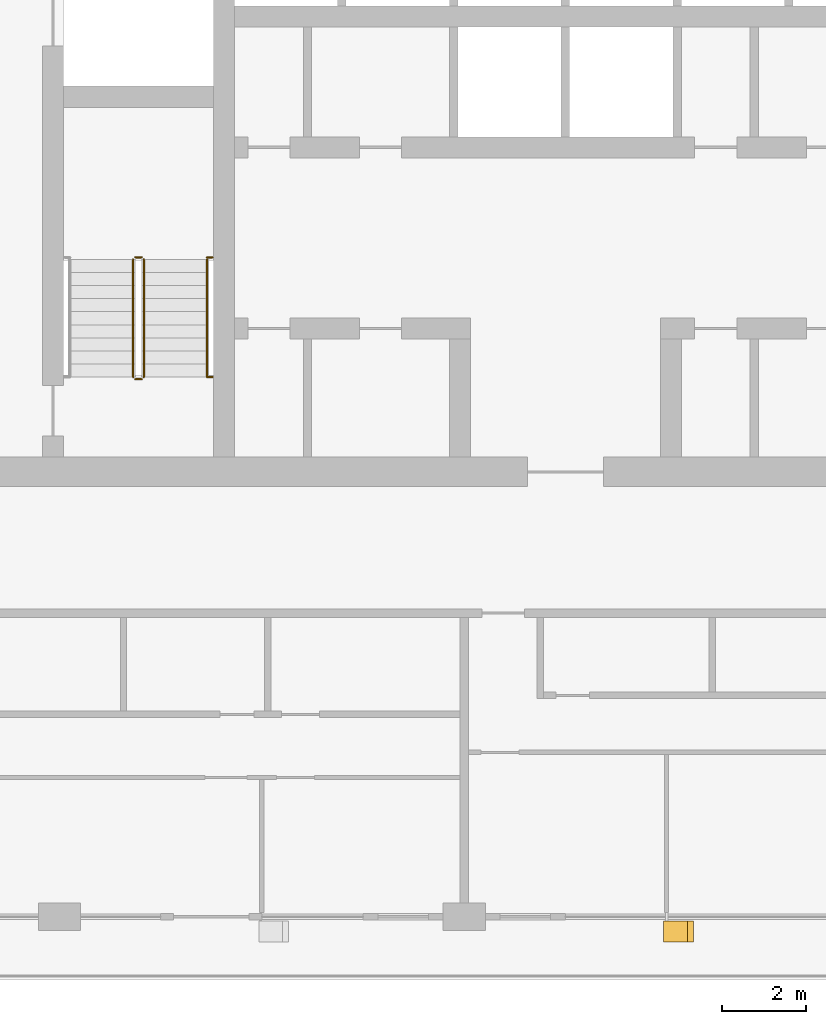
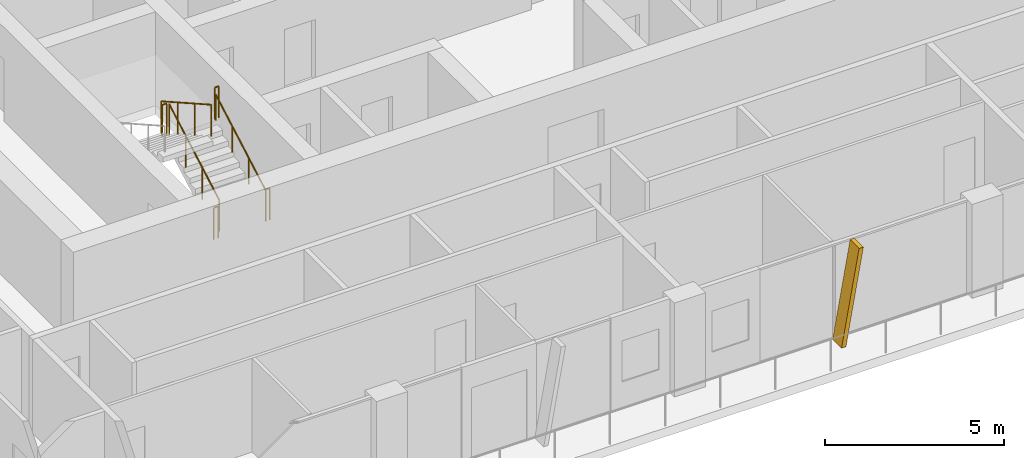
# One storey, part 18 of 23: 7 railings, 1 shading device.
"""IFC4 building model written with IfcOpenShell, lengths in metres."""

from ifc_helpers import new_model, si_unit, direction, frame, origin, origin_2d, place, context, subcontext, project, spatial, polyline, circle, outline, extrude, material, type_object, element, save


model = new_model("IFC4")

# Units and contexts
model_context = context("Model", 3, precision=1e-05, world=origin(), true_north=direction((0.0, 1.0)))
body_context = subcontext(model_context, "Body", "Model", "MODEL_VIEW")
ifc_project = project(units=[si_unit("LENGTHUNIT", "METRE"), si_unit("AREAUNIT", "SQUARE_METRE"), si_unit("VOLUMEUNIT", "CUBIC_METRE"), si_unit("PLANEANGLEUNIT", "RADIAN"), si_unit("MASSUNIT", "GRAM", prefix="KILO")], contexts=[model_context])

# Site, building, storey
site_placement = place(None, origin())
site = spatial("IfcSite", under=ifc_project, at=site_placement, CompositionType="ELEMENT")
building_placement = place(site_placement, origin())
building = spatial("IfcBuilding", under=site, at=building_placement, Name="Madar Terraces", CompositionType="ELEMENT")
storey_placement = place(building_placement, frame((0.0, 0.0, 212.300048828125)))
storey = spatial("IfcBuildingStorey", under=building, at=storey_placement, Name="L55", CompositionType="ELEMENT", Elevation=212.300048828125)

# Shading device
ifc_material_1 = material(Name="Aluminium, black anodised", Category="aluminium")
shading_device_type = type_object("IfcShadingDeviceType", Name="Facade fin blade 140 x 500", PredefinedType="USERDEFINED", material=ifc_material_1)
shading_device_placement = place(storey_placement, frame((33.530029296875, 4.449951171875, 0.0), z_axis=(0.0, 0.0, 1.0), x_axis=(1.0, 0.0, 0.0)))
element("IfcShadingDevice", 1, at=shading_device_placement, inside=storey, type_object=shading_device_type, Name="FIN L55 S3", ObjectType="FIN", PredefinedType="USERDEFINED", context=body_context, shape_type="SweptSolid", body=[
    extrude(outline(polyline([(0.0, 0.0), (0.139892578125, 0.0), (0.704345703125, 3.199951171875), (0.564208984375, 3.199951171875), (0.0, 0.0)])), frame((0.0, 0.25, 0.0), z_axis=(0.0, -1.0, 0.0), x_axis=(1.0, 0.0, 0.0)), (0.0, 0.0, 1.0), 0.5),
])

# Railings
ifc_material_2 = material(Name="Stainless steel railing", Category="steel")
railing_type_1 = type_object("IfcRailingType", Name="Stair guard 1100", PredefinedType="GUARDRAIL", material=ifc_material_2)
railing_1_placement = place(storey_placement, frame((21.199951171875, 17.60009765625, 0.175048828125)))
element("IfcRailing", 2, at=railing_1_placement, inside=storey, type_object=railing_type_1, Name="L55 ST1 stair guard 1", PredefinedType="GUARDRAIL", context=body_context, shape_type="SweptSolid", body=[
    extrude(circle(Radius=0.02392578125, at=origin_2d()), frame((0.0, 0.0, 1.076171875), z_axis=(0.0, 0.870815363784, 0.491610213684), x_axis=(-1.0, 0.0, 0.0)), (0.0, 0.0, 1.0), 3.20361328125),
    extrude(circle(Radius=0.02099609375, at=origin_2d()), origin(), (0.0, 0.0, 1.0), 1.052001953125),
    extrude(circle(Radius=0.02099609375, at=origin_2d()), frame((0.0, 0.929931640625, 0.52490234375)), (0.0, 0.0, 1.0), 1.052001953125),
    extrude(circle(Radius=0.02099609375, at=origin_2d()), frame((0.0, 1.85986328125, 1.050048828125)), (0.0, 0.0, 1.0), 1.052001953125),
    extrude(circle(Radius=0.02099609375, at=origin_2d()), frame((0.0, 2.789794921875, 1.574951171875)), (0.0, 0.0, 1.0), 1.052001953125),
])
railing_2_placement = place(storey_placement, frame((21.14990234375, 20.43994140625, 1.75)))
element("IfcRailing", 3, at=railing_2_placement, inside=storey, type_object=railing_type_1, Name="L55 ST1 stair guard 2", PredefinedType="GUARDRAIL", context=body_context, shape_type="SweptSolid", body=[
    extrude(circle(Radius=0.02392578125, at=origin_2d()), frame((0.0, 0.0, 1.076171875), z_axis=(-1.0, 0.0, 0.0), x_axis=(0.0, -1.0, 0.0)), (0.0, 0.0, 1.0), 0.14990234375),
    extrude(circle(Radius=0.02099609375, at=origin_2d()), origin(), (0.0, 0.0, 1.0), 1.052001953125),
    extrude(circle(Radius=0.02099609375, at=origin_2d()), frame((-0.14990234375, 0.0, 0.0)), (0.0, 0.0, 1.0), 1.052001953125),
])
railing_3_placement = place(storey_placement, frame((20.949951171875, 20.389892578125, 1.925048828125)))
element("IfcRailing", 4, at=railing_3_placement, inside=storey, type_object=railing_type_1, Name="L55 ST1 stair guard 3", PredefinedType="GUARDRAIL", context=body_context, shape_type="SweptSolid", body=[
    extrude(circle(Radius=0.02392578125, at=origin_2d()), frame((0.0, 0.0, 1.076171875), z_axis=(0.0, -0.870815363784, 0.491610213684), x_axis=(1.0, 0.0, 0.0)), (0.0, 0.0, 1.0), 3.20361328125),
    extrude(circle(Radius=0.02099609375, at=origin_2d()), origin(), (0.0, 0.0, 1.0), 1.052001953125),
    extrude(circle(Radius=0.02099609375, at=origin_2d()), frame((0.0, -0.929931640625, 0.52490234375)), (0.0, 0.0, 1.0), 1.052001953125),
    extrude(circle(Radius=0.02099609375, at=origin_2d()), frame((0.0, -1.85986328125, 1.050048828125)), (0.0, 0.0, 1.0), 1.052001953125),
    extrude(circle(Radius=0.02099609375, at=origin_2d()), frame((0.0, -2.789794921875, 1.574951171875)), (0.0, 0.0, 1.0), 1.052001953125),
])
railing_4_placement = place(storey_placement, frame((21.14990234375, 17.550048828125, 0.0)))
element("IfcRailing", 5, at=railing_4_placement, inside=storey, type_object=railing_type_1, Name="L55 ST1 stair guard 4", PredefinedType="GUARDRAIL", context=body_context, shape_type="SweptSolid", body=[
    extrude(circle(Radius=0.02392578125, at=origin_2d()), frame((0.0, 0.0, 1.076171875), z_axis=(-1.0, 0.0, 0.0), x_axis=(0.0, -1.0, 0.0)), (0.0, 0.0, 1.0), 0.14990234375),
    extrude(circle(Radius=0.02099609375, at=origin_2d()), origin(), (0.0, 0.0, 1.0), 1.052001953125),
    extrude(circle(Radius=0.02099609375, at=origin_2d()), frame((-0.14990234375, 0.0, 0.0)), (0.0, 0.0, 1.0), 1.052001953125),
])
for number, where, name in (
    (6, (22.699951171875, 20.43994140625, 1.75), "L55 stair guard seat 2"),
    (7, (22.699951171875, 17.60009765625, 0.0), "L55 stair guard floor 2"),
):
    element("IfcRailing", number, at=place(storey_placement, frame(where)), inside=storey, type_object=railing_type_1, Name=name, PredefinedType="GUARDRAIL", context=body_context, shape_type="SweptSolid", body=[
        extrude(circle(Radius=0.02392578125, at=origin_2d()), frame((0.0, 0.0, 1.076171875), z_axis=(1.0, 0.0, 0.0), x_axis=(0.0, 1.0, 0.0)), (0.0, 0.0, 1.0), 0.130126953125),
        extrude(circle(Radius=0.02099609375, at=origin_2d()), origin(), (0.0, 0.0, 1.0), 1.052001953125),
        extrude(circle(Radius=0.02099609375, at=origin_2d()), frame((0.130126953125, 0.0, 0.0)), (0.0, 0.0, 1.0), 1.052001953125),
    ])
ifc_material_3 = material(Name="Stainless steel railing", Category="steel")
railing_type_2 = type_object("IfcRailingType", Name="Stair handrail 900", PredefinedType="HANDRAIL", material=ifc_material_3)
railing_5_placement = place(storey_placement, frame((22.699951171875, 17.60009765625, 0.175048828125)))
element("IfcRailing", 8, at=railing_5_placement, inside=storey, type_object=railing_type_2, Name="L55 ST1 stair handrail 1", PredefinedType="HANDRAIL", context=body_context, shape_type="SweptSolid", body=[
    extrude(circle(Radius=0.02392578125, at=origin_2d()), frame((0.0, 0.0, 0.8759765625), z_axis=(0.0, 0.870815363784, 0.491610213684), x_axis=(-1.0, 0.0, 0.0)), (0.0, 0.0, 1.0), 3.20361328125),
    extrude(circle(Radius=0.02099609375, at=origin_2d()), origin(), (0.0, 0.0, 1.0), 0.851806640625),
    extrude(circle(Radius=0.02099609375, at=origin_2d()), frame((0.0, 0.929931640625, 0.52490234375)), (0.0, 0.0, 1.0), 0.851806640625),
    extrude(circle(Radius=0.02099609375, at=origin_2d()), frame((0.0, 1.85986328125, 1.050048828125)), (0.0, 0.0, 1.0), 0.851806640625),
    extrude(circle(Radius=0.02099609375, at=origin_2d()), frame((0.0, 2.789794921875, 1.574951171875)), (0.0, 0.0, 1.0), 0.851806640625),
])

save(model, "model.ifc")
